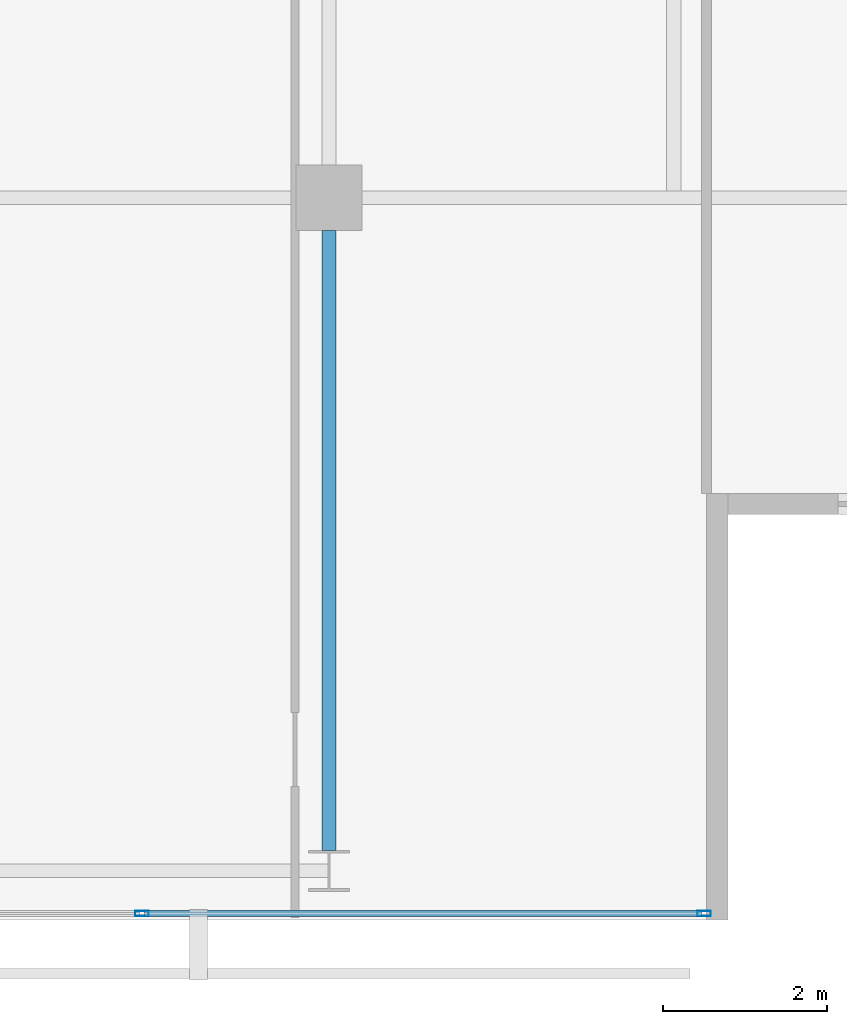
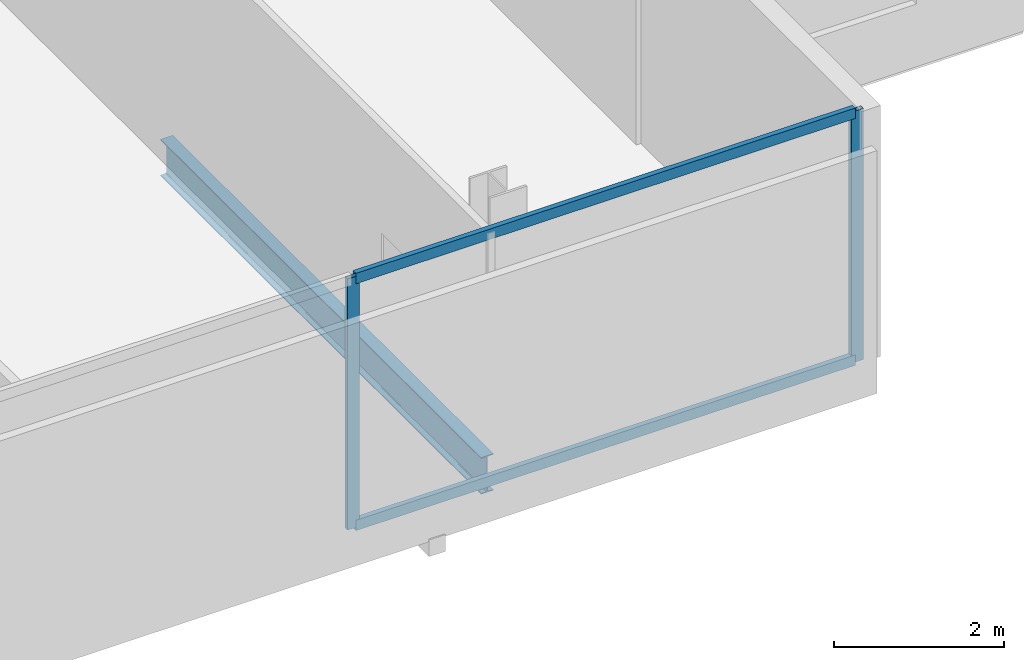
# One storey, part 10 of 25: 4 members, 1 beam, 1 element without a shape of its own.
"""IFC4 building model written with IfcOpenShell, lengths in metres."""

from ifc_helpers import new_model, si_unit, direction, frame, origin, origin_2d, place, context, subcontext, project, spatial, hollow_rectangle, i_section, extrude, material, layer, layer_set, material_profile, profile_set, type_object, element, aggregate, save


model = new_model("IFC4")

# Units and contexts
model_context = context("Model", 3, precision=1e-05, world=origin(), true_north=direction((0.0, 1.0)))
body_context = subcontext(model_context, "Body", "Model", "MODEL_VIEW")
ifc_project = project(units=[si_unit("LENGTHUNIT", "METRE"), si_unit("AREAUNIT", "SQUARE_METRE"), si_unit("VOLUMEUNIT", "CUBIC_METRE"), si_unit("PLANEANGLEUNIT", "RADIAN"), si_unit("MASSUNIT", "GRAM", prefix="KILO")], contexts=[model_context])

# Site, building, storey
site_placement = place(None, origin())
site = spatial("IfcSite", under=ifc_project, at=site_placement, CompositionType="ELEMENT")
building_placement = place(site_placement, origin())
building = spatial("IfcBuilding", under=site, at=building_placement, Name="Maruvema Waterfront Hotel and Observation Tower", CompositionType="ELEMENT")
storey_placement = place(building_placement, frame((0.0, 0.0, 297.14990234375)))
storey = spatial("IfcBuildingStorey", under=building, at=storey_placement, Name="L73", CompositionType="ELEMENT", Elevation=297.14990234375)

# Curtain wall, members
ifc_material_1 = material(Name="Anodised bronze aluminium and solar-control low-E IGU", Category="aluminium")
ifc_layer = layer(ifc_material_1, 0.159912109375, Name="Zone 3 Champagne Inner Thermal Curtain Wall System CW-04")
ifc_layer_set = layer_set([ifc_layer], Name="Anodised bronze aluminium and solar-control low-E IGU")
curtain_wall_type = type_object("IfcCurtainWallType", Name="Zone 3 Champagne Inner Thermal Curtain Wall System CW-04", PredefinedType="USERDEFINED", material=ifc_layer_set)
curtain_wall_placement = place(storey_placement, origin())
curtain_wall = element("IfcCurtainWall", 1, at=curtain_wall_placement, inside=storey, type_object=curtain_wall_type, Name="L73 Curtain Wall CW-L73-S", ObjectType="UNITISED CURTAIN WALL", PredefinedType="USERDEFINED")
ifc_material_2 = material(Name="Anodised architectural bronze aluminium", Category="aluminium")
ifc_material_profile_1 = material_profile(ifc_material_2, hollow_rectangle(XDim=0.070068359375, YDim=0.14990234375, WallThickness=0.00390625, at=origin_2d()), Name="ALU-T70x150")
ifc_profile_set_1 = profile_set([ifc_material_profile_1], Name="Anodised architectural bronze aluminium")
member_type_1 = type_object("IfcMemberType", Name="Curtain Wall Horizontal Transom ALU-T70x150", PredefinedType="USERDEFINED", material=ifc_profile_set_1)
member_1_placement = place(storey_placement, frame((48.14990234375, 9.280029296875, 0.030029296875), z_axis=(1.0, 0.0, 0.0), x_axis=(0.0, 1.0, 0.0)))
member_1 = element("IfcMember", 2, at=member_1_placement, type_object=member_type_1, Name="CW-04 transom 5.1", ObjectType="TRANSOM", PredefinedType="USERDEFINED", context=body_context, shape_type="SweptSolid", body=[
    extrude(hollow_rectangle(XDim=0.070068359375, YDim=0.14990234375, WallThickness=0.00390625, at=origin_2d()), origin(), (0.0, 0.0, 1.0), 6.7900390625),
])
member_2_placement = place(storey_placement, frame((48.14990234375, 9.280029296875, 3.580078125), z_axis=(1.0, 0.0, 0.0), x_axis=(0.0, 1.0, 0.0)))
member_2 = element("IfcMember", 3, at=member_2_placement, type_object=member_type_1, Name="CW-04 transom 5.2", ObjectType="TRANSOM", PredefinedType="USERDEFINED", context=body_context, shape_type="SweptSolid", body=[
    extrude(hollow_rectangle(XDim=0.070068359375, YDim=0.14990234375, WallThickness=0.00390625, at=origin_2d()), origin(), (0.0, 0.0, 1.0), 6.7900390625),
])
ifc_material_3 = material(Name="Anodised architectural bronze aluminium", Category="aluminium")
ifc_material_profile_2 = material_profile(ifc_material_3, hollow_rectangle(XDim=0.06494140625, YDim=0.1650390625, WallThickness=0.00390625, at=origin_2d()), Name="ALU-M65x165")
ifc_profile_set_2 = profile_set([ifc_material_profile_2], Name="Anodised architectural bronze aluminium")
member_type_2 = type_object("IfcMemberType", Name="Curtain Wall Primary Mullion ALU-M65x165", PredefinedType="MULLION", material=ifc_profile_set_2)
member_3_placement = place(storey_placement, frame((48.1201171875, 9.280029296875, 0.0), z_axis=(0.0, 0.0, 1.0), x_axis=(0.0, 1.0, 0.0)))
member_3 = element("IfcMember", 4, at=member_3_placement, type_object=member_type_2, Name="CW-04 mullion 5", PredefinedType="MULLION", context=body_context, shape_type="SweptSolid", body=[
    extrude(hollow_rectangle(XDim=0.06494140625, YDim=0.1650390625, WallThickness=0.00390625, at=origin_2d()), origin(), (0.0, 0.0, 1.0), 3.610107421875),
])
member_4_placement = place(storey_placement, frame((54.969970703125, 9.280029296875, 0.0), z_axis=(0.0, 0.0, 1.0), x_axis=(0.0, 1.0, 0.0)))
member_4 = element("IfcMember", 5, at=member_4_placement, type_object=member_type_2, Name="CW-04 mullion 6", PredefinedType="MULLION", context=body_context, shape_type="SweptSolid", body=[
    extrude(hollow_rectangle(XDim=0.06494140625, YDim=0.1650390625, WallThickness=0.00390625, at=origin_2d()), origin(), (0.0, 0.0, 1.0), 3.610107421875),
])
aggregate(curtain_wall, [member_3, member_4, member_1, member_2])

# Beam
ifc_material_4 = material(Name="Steel ASTM A572 Grade 50", Category="steel")
ifc_material_profile_3 = material_profile(ifc_material_4, i_section(OverallWidth=0.166015625, OverallDepth=0.529052734375, WebThickness=0.009765625, FlangeThickness=0.013671875, FilletRadius=0.014892578125, at=origin_2d()), Name="W530x74.0")
ifc_profile_set_3 = profile_set([ifc_material_profile_3], Name="Steel ASTM A572 Grade 50")
beam_type = type_object("IfcBeamType", Name="Primary Floor Girder W530x74.0", PredefinedType="BEAM", material=ifc_profile_set_3)
beam_placement = place(storey_placement, frame((50.39990234375, 10.050048828125, -0.50439453125), z_axis=(0.0, 1.0, 0.0), x_axis=(-1.0, 0.0, 0.0)))
element("IfcBeam", 6, at=beam_placement, inside=storey, type_object=beam_type, Name="L73 Floor Girder NS-12", PredefinedType="BEAM", context=body_context, shape_type="SweptSolid", body=[
    extrude(i_section(OverallWidth=0.166015625, OverallDepth=0.529052734375, WebThickness=0.009765625, FlangeThickness=0.013671875, FilletRadius=0.014892578125, at=origin_2d()), origin(), (0.0, 0.0, 1.0), 7.550048828125),
])

save(model, "model.ifc")
